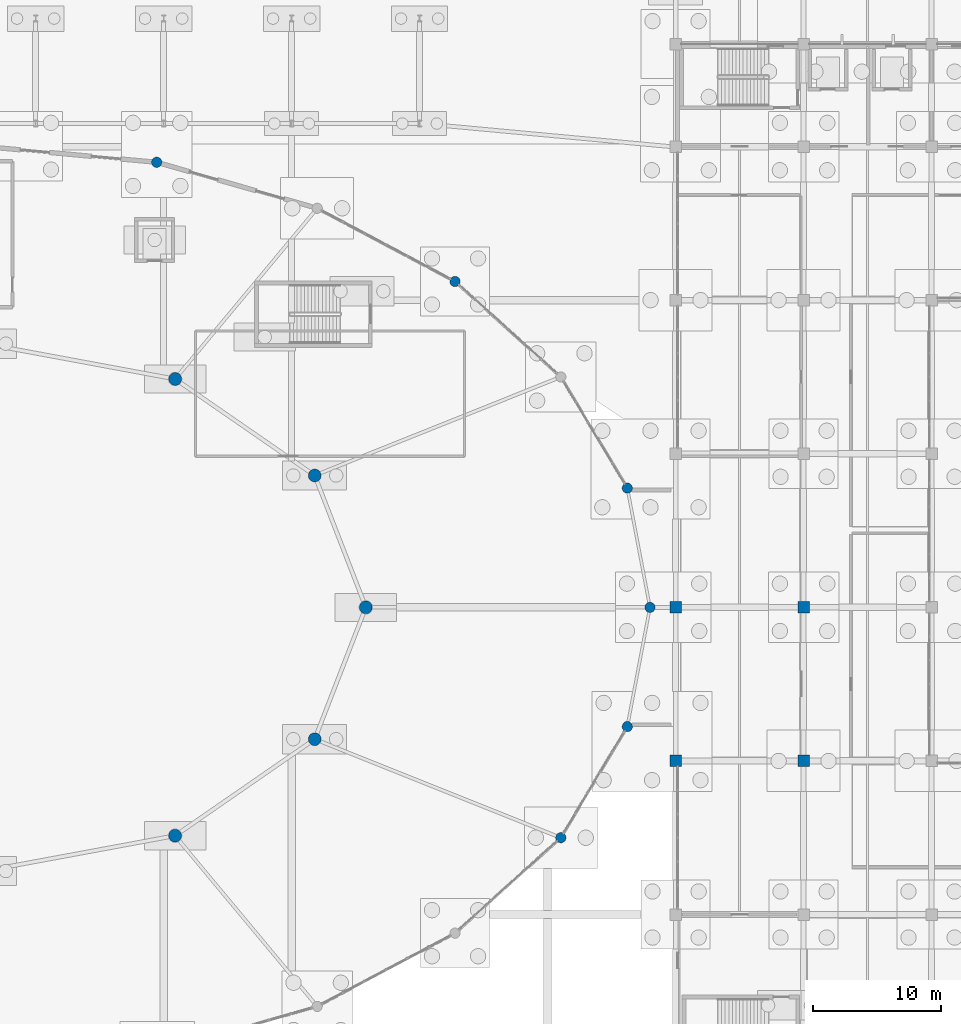
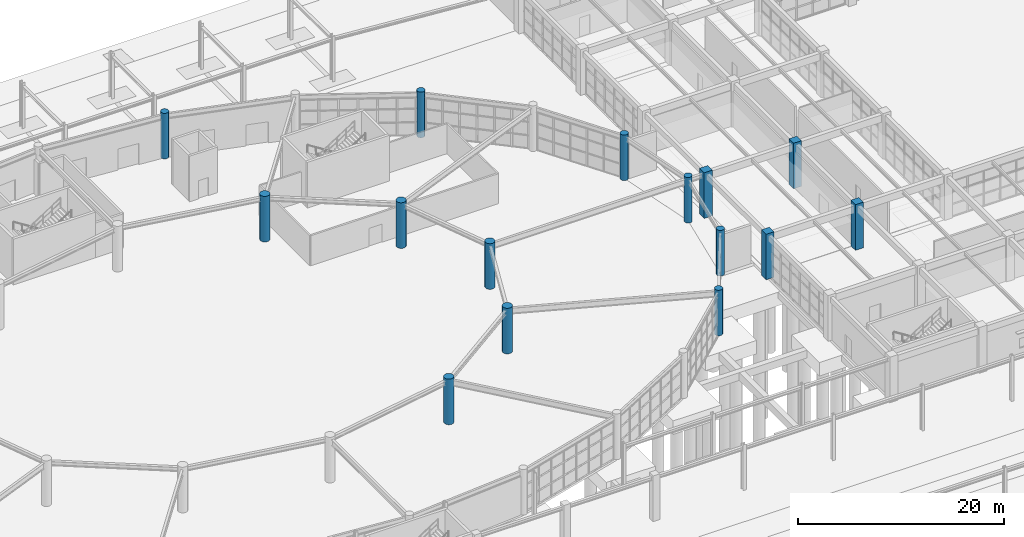
# One storey, part 19 of 99: 15 columns.
"""IFC4 building model written with IfcOpenShell, lengths in metres."""

from ifc_helpers import new_model, si_unit, direction, frame, origin, origin_2d, place, context, subcontext, project, spatial, rectangle, circle, extrude, material, material_profile, profile_set, type_object, element, save


model = new_model("IFC4")

# Units and contexts
model_context = context("Model", 3, precision=1e-05, world=origin(), true_north=direction((0.0, 1.0)))
body_context = subcontext(model_context, "Body", "Model", "MODEL_VIEW")
ifc_project = project(units=[si_unit("LENGTHUNIT", "METRE"), si_unit("AREAUNIT", "SQUARE_METRE"), si_unit("VOLUMEUNIT", "CUBIC_METRE"), si_unit("PLANEANGLEUNIT", "RADIAN"), si_unit("MASSUNIT", "GRAM", prefix="KILO")], contexts=[model_context])

# Site, building, storey
site_placement = place(None, origin())
site = spatial("IfcSite", under=ifc_project, at=site_placement, CompositionType="ELEMENT")
building_placement = place(site_placement, origin())
building = spatial("IfcBuilding", under=site, at=building_placement, Name="Kivolera Central Railway Station", CompositionType="ELEMENT")
storey_placement = place(building_placement, origin())
storey = spatial("IfcBuildingStorey", under=building, at=storey_placement, Name="L00", CompositionType="ELEMENT", Elevation=0.0)

# Columns
ifc_material = material(Name="Concrete C40/50", Category="concrete")
ifc_material_profile_1 = material_profile(ifc_material, rectangle(XDim=0.89990234375, YDim=0.89990234375, at=origin_2d()), Name="RC 900x900")
ifc_profile_set_1 = profile_set([ifc_material_profile_1], Name="Concrete C40/50")
column_type_1 = type_object("IfcColumnType", Name="COL-RC-900", PredefinedType="COLUMN", material=ifc_profile_set_1)
for number, where, z_axis, x_axis, name in (
    (1, (118.0, 78.0, 0.0), (0.0, 0.0, 1.0), (1.0, 0.0, 0.0), "L00 Wing Column 12-G"),
    (2, (118.0, 90.0, 0.0), (0.0, 0.0, 1.0), (1.0, 0.0, 0.0), "L00 Wing Column 12-H"),
    (3, (128.0, 78.0, 0.0), (0.0, 0.0, 1.0), (1.0, 0.0, 0.0), "L00 Wing Column 13-G"),
    (4, (128.0, 90.0, 0.0), (0.0, 0.0, 1.0), (1.0, 0.0, 0.0), "L00 Wing Column 13-H"),
):
    element("IfcColumn", number, at=place(storey_placement, frame(where, z_axis=z_axis, x_axis=x_axis)), inside=storey, type_object=column_type_1, Name=name, PredefinedType="COLUMN", context=body_context, shape_type="SweptSolid", body=[
        extrude(rectangle(XDim=0.89990234375, YDim=0.89990234375, at=origin_2d()), origin(), (0.0, 0.0, 1.0), 5.39990234375),
    ])
ifc_material_profile_2 = material_profile(ifc_material, circle(Radius=0.5, at=origin_2d()), Name="RC D1000")
ifc_profile_set_2 = profile_set([ifc_material_profile_2], Name="Concrete C40/50")
column_type_2 = type_object("IfcColumnType", Name="COL-RC-D1000", PredefinedType="COLUMN", material=ifc_profile_set_2)
for number, where, z_axis, x_axis, name in (
    (5, (93.800048828125, 90.0, 0.0), (0.0, 0.0, 1.0), (1.0, 0.0, 0.0), "L00 Oval Gallery Column I01"),
    (6, (89.80810546875, 100.300048828125, 0.0), (0.0, 0.0, 1.0), (1.0, 0.0, 0.0), "L00 Oval Gallery Column I02"),
    (7, (78.89990234375, 107.840087890625, 0.0), (0.0, 0.0, 1.0), (1.0, 0.0, 0.0), "L00 Oval Gallery Column I03"),
    (8, (78.89990234375, 72.159912109375, 0.0), (0.0, 0.0, 1.0), (1.0, 0.0, 0.0), "L00 Oval Gallery Column I11"),
    (9, (89.80810546875, 79.699951171875, 0.0), (0.0, 0.0, 1.0), (1.0, 0.0, 0.0), "L00 Oval Gallery Column I12"),
):
    element("IfcColumn", number, at=place(storey_placement, frame(where, z_axis=z_axis, x_axis=x_axis)), inside=storey, type_object=column_type_2, Name=name, PredefinedType="COLUMN", context=body_context, shape_type="SweptSolid", body=[
        extrude(circle(Radius=0.5, at=origin_2d()), origin(), (0.0, 0.0, 1.0), 5.39990234375),
    ])
ifc_material_profile_3 = material_profile(ifc_material, circle(Radius=0.39990234375, at=origin_2d()), Name="RC D800")
ifc_profile_set_3 = profile_set([ifc_material_profile_3], Name="Concrete C40/50")
column_type_3 = type_object("IfcColumnType", Name="COL-RC-D800", PredefinedType="COLUMN", material=ifc_profile_set_3)
for number, where, z_axis, x_axis, name in (
    (10, (116.0, 90.0, 0.0), (0.0, 0.0, 1.0), (1.0, 0.0, 0.0), "L00 Oval Drum Perimeter Column P01"),
    (11, (114.22802734375, 99.31689453125, 0.0), (0.0, 0.0, 1.0), (1.0, 0.0, 0.0), "L00 Oval Drum Perimeter Column P02"),
    (12, (100.77001953125, 115.4560546875, 0.0), (0.0, 0.0, 1.0), (1.0, 0.0, 0.0), "L00 Oval Drum Perimeter Column P04"),
    (13, (77.458984375, 124.77294921875, 0.0), (0.0, 0.0, 1.0), (1.0, 0.0, 0.0), "L00 Oval Drum Perimeter Column P06"),
    (14, (109.032958984375, 72.0, 0.0), (0.0, 0.0, 1.0), (1.0, 0.0, 0.0), "L00 Oval Drum Perimeter Column P23"),
    (15, (114.22802734375, 80.68310546875, 0.0), (0.0, 0.0, 1.0), (1.0, 0.0, 0.0), "L00 Oval Drum Perimeter Column P24"),
):
    element("IfcColumn", number, at=place(storey_placement, frame(where, z_axis=z_axis, x_axis=x_axis)), inside=storey, type_object=column_type_3, Name=name, PredefinedType="COLUMN", context=body_context, shape_type="SweptSolid", body=[
        extrude(circle(Radius=0.39990234375, at=origin_2d()), origin(), (0.0, 0.0, 1.0), 5.39990234375),
    ])

save(model, "model.ifc")
